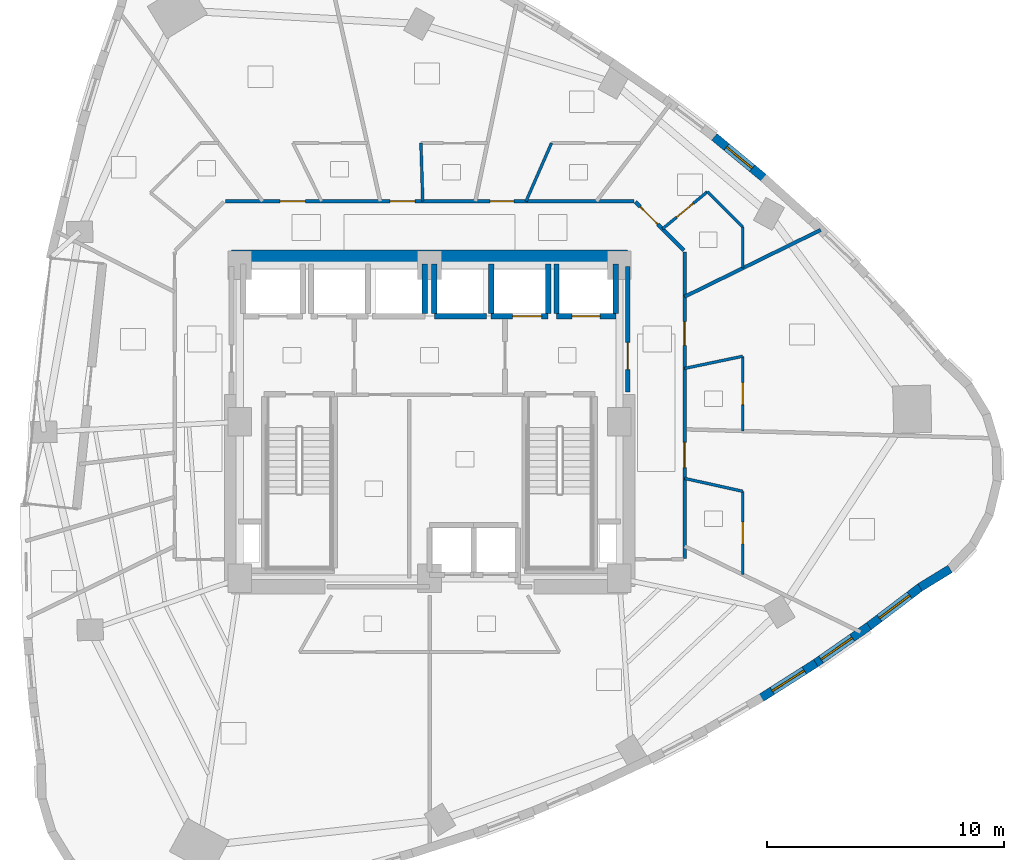
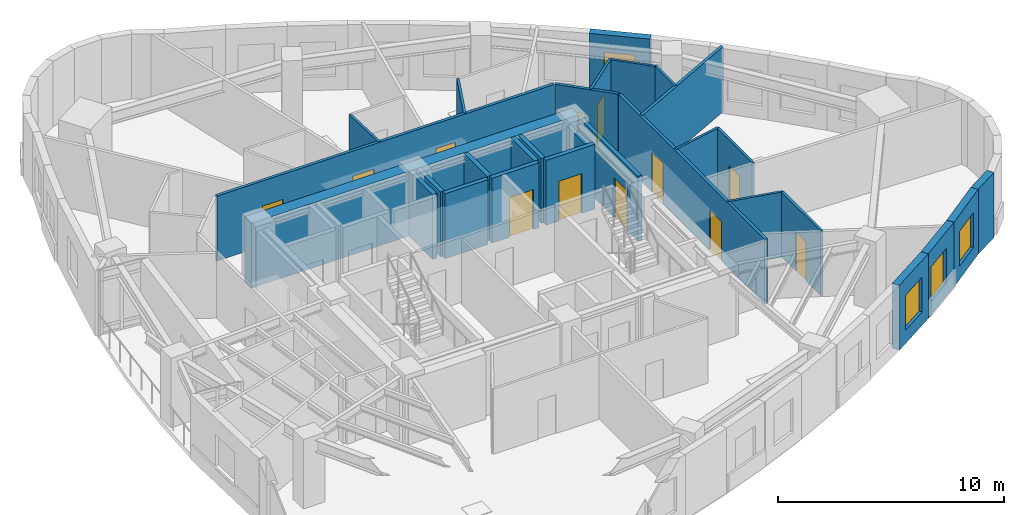
# One storey, part 7 of 12: 29 walls, 12 doors, 4 windows, 16 openings.
"""IFC4 building model written with IfcOpenShell, lengths in metres."""

from ifc_helpers import new_model, si_unit, direction, frame, frame_2d, origin, place, context, subcontext, project, spatial, rectangle, extrude, material, layer, layer_set, type_object, element, fill, save


model = new_model("IFC4")

# Units and contexts
model_context = context("Model", 3, precision=1e-05, world=origin(), true_north=direction((0.0, 1.0)))
body_context = subcontext(model_context, "Body", "Model", "MODEL_VIEW")
ifc_project = project(units=[si_unit("LENGTHUNIT", "METRE"), si_unit("AREAUNIT", "SQUARE_METRE"), si_unit("VOLUMEUNIT", "CUBIC_METRE"), si_unit("PLANEANGLEUNIT", "RADIAN"), si_unit("MASSUNIT", "GRAM", prefix="KILO")], contexts=[model_context])

# Site, building, storey
site_placement = place(None, origin())
site = spatial("IfcSite", under=ifc_project, at=site_placement, CompositionType="ELEMENT")
building_placement = place(site_placement, origin())
building = spatial("IfcBuilding", under=site, at=building_placement, Name="Ndelora Gate Hotel", CompositionType="ELEMENT")
storey_placement = place(building_placement, frame((0.0, 0.0, 101.0)))
storey = spatial("IfcBuildingStorey", under=building, at=storey_placement, Name="L24", CompositionType="ELEMENT", Elevation=101.0)

# Wall, opening, window
ifc_material_1 = material(Name="Clay Brick Masonry", Category="masonry")
ifc_layer_1 = layer(ifc_material_1, 0.360107421875)
ifc_layer_set_1 = layer_set([ifc_layer_1], Name="Clay Brick Masonry")
wall_type_1 = type_object("IfcWallType", Name="WL-BRICK-360", PredefinedType="SOLIDWALL", material=ifc_layer_set_1)
wall_1_placement = place(storey_placement, frame((16.285400390625, -10.1708984375, 0.0), z_axis=(0.0, 0.0, 1.0), x_axis=(-0.843759875161, -0.53672085209, 0.0)))
wall_1 = element("IfcWall", 1, at=wall_1_placement, inside=storey, type_object=wall_type_1, Name="L24 Tower Brick Pier-and-Spandrel Wall TWR-36", PredefinedType="SOLIDWALL", context=body_context, shape_type="SweptSolid", body=[
    extrude(rectangle(XDim=2.75830078125, YDim=0.360107421875, at=frame_2d((1.379150390625, 0.0))), origin(), (0.0, 0.0, 1.0), 3.5),
])
opening_1_placement = place(wall_1_placement, frame((0.5791015625, 0.0, 0.719970703125)))
opening_1 = element("IfcOpeningElement", 2, at=opening_1_placement, cuts=wall_1, Name="Opening W01", PredefinedType="OPENING", context=body_context, shape_type="SweptSolid", body=[
    extrude(rectangle(XDim=1.60009765625, YDim=1.8798828125, at=frame_2d((0.800048828125, 0.93994140625))), frame((0.0, 0.18994140625, 0.0), z_axis=(0.0, -1.0, 0.0), x_axis=(1.0, 0.0, 0.0)), (0.0, 0.0, 1.0), 0.380126953125),
])
ifc_material_2 = material(Name="Insulated Low-E Double Glazing in Bronze Aluminium Frame", Category="aluminium")
window_type_1 = type_object("IfcWindowType", Name="WN-DEEP-1600", PartitioningType="SINGLE_PANEL", PredefinedType="WINDOW", material=ifc_material_2)
window_1_placement = place(opening_1_placement, origin())
window_1 = element("IfcWindow", 3, at=window_1_placement, inside=storey, type_object=window_type_1, Name="L24 Deep-Set Brick-Pier Window W01", OverallHeight=1.8798828125, OverallWidth=1.60009765625, PartitioningType="SINGLE_PANEL", PredefinedType="WINDOW", context=body_context, shape_type="SweptSolid", body=[
    extrude(rectangle(XDim=1.60009765625, YDim=1.8798828125, at=frame_2d((0.800048828125, 0.93994140625))), frame((0.0, 0.030029296875, 0.0), z_axis=(0.0, -1.0, 0.0), x_axis=(1.0, 0.0, 0.0)), (0.0, 0.0, 1.0), 0.06005859375),
])
fill(opening_1, window_1)

wall_2_placement = place(storey_placement, frame((18.523681640625, -8.612060546875, 0.0), z_axis=(0.0, 0.0, 1.0), x_axis=(-0.820851453433, -0.5711417437, 0.0)))
wall_2 = element("IfcWall", 4, at=wall_2_placement, inside=storey, type_object=wall_type_1, Name="L24 Tower Brick Pier-and-Spandrel Wall TWR-37", PredefinedType="SOLIDWALL", context=body_context, shape_type="SweptSolid", body=[
    extrude(rectangle(XDim=2.777587890625, YDim=0.360107421875, at=frame_2d((1.388671875, 0.0))), origin(), (0.0, 0.0, 1.0), 3.5),
])
opening_2_placement = place(wall_2_placement, frame((0.860107421875, 0.0, 0.719970703125)))
opening_2 = element("IfcOpeningElement", 5, at=opening_2_placement, cuts=wall_2, Name="Opening W03", PredefinedType="OPENING", context=body_context, shape_type="SweptSolid", body=[
    extrude(rectangle(XDim=1.60009765625, YDim=1.8798828125, at=frame_2d((0.800048828125, 0.93994140625))), frame((0.0, 0.18994140625, 0.0), z_axis=(0.0, -1.0, 0.0), x_axis=(1.0, 0.0, 0.0)), (0.0, 0.0, 1.0), 0.380126953125),
])
window_type_2 = type_object("IfcWindowType", Name="WN-CORN-2100", PartitioningType="SINGLE_PANEL", PredefinedType="WINDOW", material=ifc_material_2)
window_2_placement = place(opening_2_placement, origin())
window_2 = element("IfcWindow", 6, at=window_2_placement, inside=storey, type_object=window_type_2, Name="L24 Deep-Set Brick-Pier Window W03", OverallHeight=1.8798828125, OverallWidth=1.60009765625, PartitioningType="SINGLE_PANEL", PredefinedType="WINDOW", context=body_context, shape_type="SweptSolid", body=[
    extrude(rectangle(XDim=1.60009765625, YDim=1.8798828125, at=frame_2d((0.800048828125, 0.93994140625))), frame((0.0, 0.030029296875, 0.0), z_axis=(0.0, -1.0, 0.0), x_axis=(1.0, 0.0, 0.0)), (0.0, 0.0, 1.0), 0.06005859375),
])
fill(opening_2, window_2)

wall_3_placement = place(storey_placement, frame((20.715576171875, -6.949462890625, 0.0), z_axis=(0.0, 0.0, 1.0), x_axis=(-0.796935762967, -0.604064060928, 0.0)))
wall_3 = element("IfcWall", 7, at=wall_3_placement, inside=storey, type_object=wall_type_1, Name="L24 Tower Brick Pier-and-Spandrel Wall TWR-38", PredefinedType="SOLIDWALL", context=body_context, shape_type="SweptSolid", body=[
    extrude(rectangle(XDim=2.80126953125, YDim=0.360107421875, at=frame_2d((1.400634765625, 0.0))), origin(), (0.0, 0.0, 1.0), 3.5),
])
opening_3_placement = place(wall_3_placement, frame((0.6005859375, 0.0, 0.719970703125)))
opening_3 = element("IfcOpeningElement", 8, at=opening_3_placement, cuts=wall_3, Name="Opening W01", PredefinedType="OPENING", context=body_context, shape_type="SweptSolid", body=[
    extrude(rectangle(XDim=1.60009765625, YDim=1.8798828125, at=frame_2d((0.800048828125, 0.93994140625))), frame((0.0, 0.18994140625, 0.0), z_axis=(0.0, -1.0, 0.0), x_axis=(1.0, 0.0, 0.0)), (0.0, 0.0, 1.0), 0.380126953125),
])
window_3_placement = place(opening_3_placement, origin())
window_3 = element("IfcWindow", 9, at=window_3_placement, inside=storey, type_object=window_type_1, Name="L24 Deep-Set Brick-Pier Window W01", OverallHeight=1.8798828125, OverallWidth=1.60009765625, PartitioningType="SINGLE_PANEL", PredefinedType="WINDOW", context=body_context, shape_type="SweptSolid", body=[
    extrude(rectangle(XDim=1.60009765625, YDim=1.8798828125, at=frame_2d((0.800048828125, 0.93994140625))), frame((0.0, 0.030029296875, 0.0), z_axis=(0.0, -1.0, 0.0), x_axis=(1.0, 0.0, 0.0)), (0.0, 0.0, 1.0), 0.06005859375),
])
fill(opening_3, window_3)

# Wall
wall_4_placement = place(storey_placement, frame((21.941162109375, -6.201416015625, 0.0), z_axis=(0.0, 0.0, 1.0), x_axis=(-0.852627228439, -0.522519673624, 0.0)))
element("IfcWall", 10, at=wall_4_placement, inside=storey, type_object=wall_type_1, Name="L24 Tower Brick Pier-and-Spandrel Wall TWR-39", PredefinedType="SOLIDWALL", context=body_context, shape_type="SweptSolid", body=[
    extrude(rectangle(XDim=1.48583984375, YDim=0.360107421875, at=frame_2d((0.742919921875, 0.0))), origin(), (0.0, 0.0, 1.0), 3.5),
])

# Wall, opening, window
wall_5_placement = place(storey_placement, frame((12.007080078125, 12.01123046875, 0.0), z_axis=(0.0, 0.0, 1.0), x_axis=(0.769960149578, -0.63809197461, 0.0)))
wall_5 = element("IfcWall", 11, at=wall_5_placement, inside=storey, type_object=wall_type_1, Name="L24 Tower Brick Pier-and-Spandrel Wall TWR-51", PredefinedType="SOLIDWALL", context=body_context, shape_type="SweptSolid", body=[
    extrude(rectangle(XDim=2.734619140625, YDim=0.360107421875, at=frame_2d((1.3671875, 0.0))), origin(), (0.0, 0.0, 1.0), 3.5),
])
opening_4_placement = place(wall_5_placement, frame((0.667236328125, 0.0, 0.719970703125)))
opening_4 = element("IfcOpeningElement", 12, at=opening_4_placement, cuts=wall_5, Name="Opening W02", PredefinedType="OPENING", context=body_context, shape_type="SweptSolid", body=[
    extrude(rectangle(XDim=1.39990234375, YDim=1.840087890625, at=frame_2d((0.699951171875, 0.919921875))), frame((0.0, 0.18994140625, 0.0), z_axis=(0.0, -1.0, 0.0), x_axis=(1.0, 0.0, 0.0)), (0.0, 0.0, 1.0), 0.380126953125),
])
window_type_3 = type_object("IfcWindowType", Name="WN-DEEP-1400", PartitioningType="SINGLE_PANEL", PredefinedType="WINDOW", material=ifc_material_2)
window_4_placement = place(opening_4_placement, origin())
window_4 = element("IfcWindow", 13, at=window_4_placement, inside=storey, type_object=window_type_3, Name="L24 Deep-Set Brick-Pier Window W02", OverallHeight=1.840087890625, OverallWidth=1.39990234375, PartitioningType="SINGLE_PANEL", PredefinedType="WINDOW", context=body_context, shape_type="SweptSolid", body=[
    extrude(rectangle(XDim=1.39990234375, YDim=1.840087890625, at=frame_2d((0.699951171875, 0.919921875))), frame((0.0, 0.030029296875, 0.0), z_axis=(0.0, -1.0, 0.0), x_axis=(1.0, 0.0, 0.0)), (0.0, 0.0, 1.0), 0.06005859375),
])
fill(opening_4, window_4)

# Wall
ifc_material_3 = material(Name="Concrete C60/75", Category="concrete")
ifc_layer_2 = layer(ifc_material_3, 0.60009765625)
ifc_layer_set_2 = layer_set([ifc_layer_2], Name="Concrete C60/75")
wall_type_2 = type_object("IfcWallType", Name="WL-CORE-600", PredefinedType="SHEAR", material=ifc_layer_set_2)
wall_6_placement = place(storey_placement, frame((-8.35009765625, 6.949951171875, 0.0), z_axis=(0.0, 0.0, 1.0), x_axis=(1.0, 0.0, 0.0)))
element("IfcWall", 14, at=wall_6_placement, inside=storey, type_object=wall_type_2, Name="L24 Core Shear Wall N", PredefinedType="SHEAR", context=body_context, shape_type="SweptSolid", body=[
    extrude(rectangle(XDim=16.7001953125, YDim=0.60009765625, at=frame_2d((8.35009765625, 0.0))), origin(), (0.0, 0.0, 1.0), 3.5),
])

# Wall, opening, door
ifc_material_4 = material(Name="Concrete C40/50", Category="concrete")
ifc_layer_3 = layer(ifc_material_4, 0.199951171875)
ifc_layer_set_3 = layer_set([ifc_layer_3], Name="Concrete C40/50")
wall_type_3 = type_object("IfcWallType", Name="WL-FIRE-200", PredefinedType="PARTITIONING", material=ifc_layer_set_3)
wall_7_placement = place(storey_placement, frame((8.35009765625, 1.25, 0.0), z_axis=(0.0, 0.0, 1.0), x_axis=(0.0, 1.0, 0.0)))
wall_7 = element("IfcWall", 15, at=wall_7_placement, inside=storey, type_object=wall_type_3, Name="L24 Interior Wall IW-2", PredefinedType="PARTITIONING", context=body_context, shape_type="SweptSolid", body=[
    extrude(rectangle(XDim=5.300048828125, YDim=0.199951171875, at=frame_2d((2.64990234375, 0.0))), origin(), (0.0, 0.0, 1.0), 3.5),
])
opening_5_placement = place(wall_7_placement, frame((0.949951171875, 0.0, 0.0)))
opening_5 = element("IfcOpeningElement", 16, at=opening_5_placement, cuts=wall_7, Name="Opening FD1", PredefinedType="OPENING", context=body_context, shape_type="SweptSolid", body=[
    extrude(rectangle(XDim=1.14990234375, YDim=2.14990234375, at=frame_2d((0.574951171875, 1.074951171875))), frame((0.0, 0.10986328125, 0.0), z_axis=(0.0, -1.0, 0.0), x_axis=(1.0, 0.0, 0.0)), (0.0, 0.0, 1.0), 0.219970703125),
])
ifc_material_5 = material(Name="Fire-Rated Timber-Veneer Steel Core", Category="steel")
door_type_1 = type_object("IfcDoorType", Name="DR-FD60", OperationType="SINGLE_SWING_LEFT", PredefinedType="DOOR", material=ifc_material_5)
door_1_placement = place(opening_5_placement, origin())
door_1 = element("IfcDoor", 17, at=door_1_placement, inside=storey, type_object=door_type_1, Name="L24 Firefighting Lobby East Corridor Door", OperationType="SINGLE_SWING_RIGHT", OverallHeight=2.14990234375, OverallWidth=1.14990234375, PredefinedType="DOOR", context=body_context, shape_type="SweptSolid", body=[
    extrude(rectangle(XDim=1.14990234375, YDim=2.14990234375, at=frame_2d((0.574951171875, 1.074951171875))), frame((0.0, 0.02490234375, 0.0), z_axis=(0.0, -1.0, 0.0), x_axis=(1.0, 0.0, 0.0)), (0.0, 0.0, 1.0), 0.050048828125),
])
fill(opening_5, door_1)

# Wall, openings, doors
ifc_material_6 = material(Name="Fire-Rated Gypsum Stud Partition", Category="gypsum")
ifc_layer_4 = layer(ifc_material_6, 0.14990234375)
ifc_layer_set_4 = layer_set([ifc_layer_4], Name="Fire-Rated Gypsum Stud Partition")
wall_type_4 = type_object("IfcWallType", Name="WL-PART-150", PredefinedType="PARTITIONING", material=ifc_layer_set_4)
wall_8_placement = place(storey_placement, frame((10.75, 7.159912109375, 0.0), z_axis=(0.0, 0.0, 1.0), x_axis=(0.0, -1.0, 0.0)))
wall_8 = element("IfcWall", 18, at=wall_8_placement, inside=storey, type_object=wall_type_4, Name="L24 Interior Wall IW-5", PredefinedType="PARTITIONING", context=body_context, shape_type="SweptSolid", body=[
    extrude(rectangle(XDim=12.919921875, YDim=0.14990234375, at=frame_2d((6.4599609375, 0.0))), origin(), (0.0, 0.0, 1.0), 3.5),
])
opening_6_placement = place(wall_8_placement, frame((2.937255859375, 0.0, 0.0)))
opening_6 = element("IfcOpeningElement", 19, at=opening_6_placement, cuts=wall_8, Name="Opening D01", PredefinedType="OPENING", context=body_context, shape_type="SweptSolid", body=[
    extrude(rectangle(XDim=1.0, YDim=2.14990234375, at=frame_2d((0.5, 1.074951171875))), frame((0.0, 0.0849609375, 0.0), z_axis=(0.0, -1.0, 0.0), x_axis=(1.0, 0.0, 0.0)), (0.0, 0.0, 1.0), 0.169921875),
])
opening_7_placement = place(wall_8_placement, frame((8.02978515625, 0.0, 0.0)))
opening_7 = element("IfcOpeningElement", 20, at=opening_7_placement, cuts=wall_8, Name="Opening D07", PredefinedType="OPENING", context=body_context, shape_type="SweptSolid", body=[
    extrude(rectangle(XDim=1.06005859375, YDim=2.14990234375, at=frame_2d((0.530029296875, 1.074951171875))), frame((0.0, 0.0849609375, 0.0), z_axis=(0.0, -1.0, 0.0), x_axis=(1.0, 0.0, 0.0)), (0.0, 0.0, 1.0), 0.169921875),
])
ifc_material_7 = material(Name="Acoustic Hardwood Guest Entrance Door", Category="wood")
door_type_2 = type_object("IfcDoorType", Name="DR-COR-1000", OperationType="SINGLE_SWING_LEFT", PredefinedType="DOOR", material=ifc_material_7)
door_2_placement = place(opening_6_placement, origin())
door_2 = element("IfcDoor", 21, at=door_2_placement, inside=storey, type_object=door_type_2, Name="L24 Club King Guest Room 2704 Entrance Door", OperationType="SINGLE_SWING_LEFT", OverallHeight=2.14990234375, OverallWidth=1.0, PredefinedType="DOOR", context=body_context, shape_type="SweptSolid", body=[
    extrude(rectangle(XDim=1.0, YDim=2.14990234375, at=frame_2d((0.5, 1.074951171875))), frame((0.0, 0.02490234375, 0.0), z_axis=(0.0, -1.0, 0.0), x_axis=(1.0, 0.0, 0.0)), (0.0, 0.0, 1.0), 0.050048828125),
])
fill(opening_6, door_2)
ifc_material_8 = material(Name="Diplomatic Suite Acoustic Entrance Door", Category="wood")
door_type_3 = type_object("IfcDoorType", Name="DR-SUITE-1060", OperationType="SINGLE_SWING_LEFT", PredefinedType="DOOR", material=ifc_material_8)
door_3_placement = place(opening_7_placement, origin())
door_3 = element("IfcDoor", 22, at=door_3_placement, inside=storey, type_object=door_type_3, Name="L24 Corner Club Suite 2703 Entrance Door", OperationType="SINGLE_SWING_RIGHT", OverallHeight=2.14990234375, OverallWidth=1.06005859375, PredefinedType="DOOR", context=body_context, shape_type="SweptSolid", body=[
    extrude(rectangle(XDim=1.06005859375, YDim=2.14990234375, at=frame_2d((0.530029296875, 1.074951171875))), frame((0.0, 0.02490234375, 0.0), z_axis=(0.0, -1.0, 0.0), x_axis=(1.0, 0.0, 0.0)), (0.0, 0.0, 1.0), 0.050048828125),
])
fill(opening_7, door_3)

# Wall, opening, door
wall_9_placement = place(storey_placement, frame((8.67822265625, 9.271728515625, 0.0), z_axis=(0.0, 0.0, 1.0), x_axis=(0.707106781187, -0.707106781187, 0.0)))
wall_9 = element("IfcWall", 23, at=wall_9_placement, inside=storey, type_object=wall_type_4, Name="L24 Interior Wall IW-5", PredefinedType="PARTITIONING", context=body_context, shape_type="SweptSolid", body=[
    extrude(rectangle(XDim=2.889892578125, YDim=0.14990234375, at=frame_2d((1.44482421875, 0.0))), origin(), (0.0, 0.0, 1.0), 3.5),
])
opening_8_placement = place(wall_9_placement, frame((0.280029296875, 0.0, 0.0)))
opening_8 = element("IfcOpeningElement", 24, at=opening_8_placement, cuts=wall_9, Name="Opening D07", PredefinedType="OPENING", context=body_context, shape_type="SweptSolid", body=[
    extrude(rectangle(XDim=1.06005859375, YDim=2.14990234375, at=frame_2d((0.530029296875, 1.074951171875))), frame((0.0, 0.0849609375, 0.0), z_axis=(0.0, -1.0, 0.0), x_axis=(1.0, 0.0, 0.0)), (0.0, 0.0, 1.0), 0.169921875),
])
door_4_placement = place(opening_8_placement, origin())
door_4 = element("IfcDoor", 25, at=door_4_placement, inside=storey, type_object=door_type_3, Name="L24 South Reclaimed Club Suite 2705 Entrance Door", OperationType="SINGLE_SWING_RIGHT", OverallHeight=2.14990234375, OverallWidth=1.06005859375, PredefinedType="DOOR", context=body_context, shape_type="SweptSolid", body=[
    extrude(rectangle(XDim=1.06005859375, YDim=2.14990234375, at=frame_2d((0.530029296875, 1.074951171875))), frame((0.0, 0.02490234375, 0.0), z_axis=(0.0, -1.0, 0.0), x_axis=(1.0, 0.0, 0.0)), (0.0, 0.0, 1.0), 0.050048828125),
])
fill(opening_8, door_4)

# Wall, openings, doors
wall_10_placement = place(storey_placement, frame((-8.610107421875, 9.300048828125, 0.0), z_axis=(0.0, 0.0, 1.0), x_axis=(1.0, 0.0, 0.0)))
wall_10 = element("IfcWall", 26, at=wall_10_placement, inside=storey, type_object=wall_type_4, Name="L24 Interior Wall IW-5", PredefinedType="PARTITIONING", context=body_context, shape_type="SweptSolid", body=[
    extrude(rectangle(XDim=17.22021484375, YDim=0.14990234375, at=frame_2d((8.610107421875, 0.0))), origin(), (0.0, 0.0, 1.0), 3.5),
])
opening_9_placement = place(wall_10_placement, frame((11.16650390625, 0.0, 0.0)))
opening_9 = element("IfcOpeningElement", 27, at=opening_9_placement, cuts=wall_10, Name="Opening D01", PredefinedType="OPENING", context=body_context, shape_type="SweptSolid", body=[
    extrude(rectangle(XDim=1.0, YDim=2.14990234375, at=frame_2d((0.5, 1.074951171875))), frame((0.0, 0.0849609375, 0.0), z_axis=(0.0, -1.0, 0.0), x_axis=(1.0, 0.0, 0.0)), (0.0, 0.0, 1.0), 0.169921875),
])
opening_10_placement = place(wall_10_placement, frame((6.9443359375, 0.0, 0.0)))
opening_10 = element("IfcOpeningElement", 28, at=opening_10_placement, cuts=wall_10, Name="Opening D07", PredefinedType="OPENING", context=body_context, shape_type="SweptSolid", body=[
    extrude(rectangle(XDim=1.06005859375, YDim=2.14990234375, at=frame_2d((0.530029296875, 1.074951171875))), frame((0.0, 0.0849609375, 0.0), z_axis=(0.0, -1.0, 0.0), x_axis=(1.0, 0.0, 0.0)), (0.0, 0.0, 1.0), 0.169921875),
])
opening_11_placement = place(wall_10_placement, frame((2.31103515625, 0.0, 0.0)))
opening_11 = element("IfcOpeningElement", 29, at=opening_11_placement, cuts=wall_10, Name="Opening D07", PredefinedType="OPENING", context=body_context, shape_type="SweptSolid", body=[
    extrude(rectangle(XDim=1.06005859375, YDim=2.14990234375, at=frame_2d((0.530029296875, 1.074951171875))), frame((0.0, 0.0849609375, 0.0), z_axis=(0.0, -1.0, 0.0), x_axis=(1.0, 0.0, 0.0)), (0.0, 0.0, 1.0), 0.169921875),
])
door_5_placement = place(opening_9_placement, origin())
door_5 = element("IfcDoor", 30, at=door_5_placement, inside=storey, type_object=door_type_2, Name="L24 Club Twin Guest Room 2706 Entrance Door", OperationType="SINGLE_SWING_RIGHT", OverallHeight=2.14990234375, OverallWidth=1.0, PredefinedType="DOOR", context=body_context, shape_type="SweptSolid", body=[
    extrude(rectangle(XDim=1.0, YDim=2.14990234375, at=frame_2d((0.5, 1.074951171875))), frame((0.0, 0.02490234375, 0.0), z_axis=(0.0, -1.0, 0.0), x_axis=(1.0, 0.0, 0.0)), (0.0, 0.0, 1.0), 0.050048828125),
])
fill(opening_9, door_5)
door_6_placement = place(opening_10_placement, origin())
door_6 = element("IfcDoor", 31, at=door_6_placement, inside=storey, type_object=door_type_3, Name="L24 Corner Junior Suite 2707 Entrance Door", OperationType="SINGLE_SWING_RIGHT", OverallHeight=2.14990234375, OverallWidth=1.06005859375, PredefinedType="DOOR", context=body_context, shape_type="SweptSolid", body=[
    extrude(rectangle(XDim=1.06005859375, YDim=2.14990234375, at=frame_2d((0.530029296875, 1.074951171875))), frame((0.0, 0.02490234375, 0.0), z_axis=(0.0, -1.0, 0.0), x_axis=(1.0, 0.0, 0.0)), (0.0, 0.0, 1.0), 0.050048828125),
])
fill(opening_10, door_6)
door_7_placement = place(opening_11_placement, origin())
door_7 = element("IfcDoor", 32, at=door_7_placement, inside=storey, type_object=door_type_3, Name="L24 Club Superior Junior Suite 2708 Entrance Door", OperationType="SINGLE_SWING_LEFT", OverallHeight=2.14990234375, OverallWidth=1.06005859375, PredefinedType="DOOR", context=body_context, shape_type="SweptSolid", body=[
    extrude(rectangle(XDim=1.06005859375, YDim=2.14990234375, at=frame_2d((0.530029296875, 1.074951171875))), frame((0.0, 0.02490234375, 0.0), z_axis=(0.0, -1.0, 0.0), x_axis=(1.0, 0.0, 0.0)), (0.0, 0.0, 1.0), 0.050048828125),
])
fill(opening_11, door_7)

# Wall
wall_11_placement = place(storey_placement, frame((10.75, 5.2744140625, 0.0), z_axis=(0.0, 0.0, 1.0), x_axis=(0.897755780575, 0.440493539616, 0.0)))
element("IfcWall", 33, at=wall_11_placement, inside=storey, type_object=wall_type_4, Name="L24 Interior Wall IW-5", PredefinedType="PARTITIONING", context=body_context, shape_type="SweptSolid", body=[
    extrude(rectangle(XDim=6.3916015625, YDim=0.14990234375, at=frame_2d((3.19580078125, 0.0))), origin(), (0.0, 0.0, 1.0), 3.5),
])

# Wall, opening, door
ifc_layer_5 = layer(ifc_material_4, 0.219970703125)
ifc_layer_set_5 = layer_set([ifc_layer_5], Name="Concrete C40/50")
wall_type_5 = type_object("IfcWallType", Name="WL-SHAFT-220", PredefinedType="PARTITIONING", material=ifc_layer_set_5)
wall_12_placement = place(storey_placement, frame((5.35009765625, 4.449951171875, 0.0), z_axis=(0.0, 0.0, 1.0), x_axis=(1.0, 0.0, 0.0)))
wall_12 = element("IfcWall", 34, at=wall_12_placement, inside=storey, type_object=wall_type_5, Name="L24 Interior Wall IW-1", PredefinedType="PARTITIONING", context=body_context, shape_type="SweptSolid", body=[
    extrude(rectangle(XDim=2.5, YDim=0.219970703125, at=frame_2d((1.25, 0.0))), origin(), (0.0, 0.0, 1.0), 3.5),
])
opening_12_placement = place(wall_12_placement, frame((0.659912109375, 0.0, 0.0)))
opening_12 = element("IfcOpeningElement", 35, at=opening_12_placement, cuts=wall_12, Name="Opening LD5", PredefinedType="OPENING", context=body_context, shape_type="SweptSolid", body=[
    extrude(rectangle(XDim=1.179931640625, YDim=2.14990234375, at=frame_2d((0.58984375, 1.074951171875))), frame((0.0, 0.1201171875, 0.0), z_axis=(0.0, -1.0, 0.0), x_axis=(1.0, 0.0, 0.0)), (0.0, 0.0, 1.0), 0.239990234375),
])
ifc_material_9 = material(Name="Firefighting Lift Stainless Sliding Landing Door", Category="metal")
door_type_4 = type_object("IfcDoorType", Name="DR-LD5", OperationType="DOUBLE_DOOR_SLIDING", PredefinedType="DOOR", material=ifc_material_9)
door_8_placement = place(opening_12_placement, origin())
door_8 = element("IfcDoor", 36, at=door_8_placement, inside=storey, type_object=door_type_4, Name="L24 Lift Landing Sliding Door FFL2", OperationType="DOUBLE_DOOR_SLIDING", OverallHeight=2.14990234375, OverallWidth=1.179931640625, PredefinedType="DOOR", context=body_context, shape_type="SweptSolid", body=[
    extrude(rectangle(XDim=1.179931640625, YDim=2.14990234375, at=frame_2d((0.58984375, 1.074951171875))), frame((0.0, 0.02490234375, 0.0), z_axis=(0.0, -1.0, 0.0), x_axis=(1.0, 0.0, 0.0)), (0.0, 0.0, 1.0), 0.050048828125),
])
fill(opening_12, door_8)

# Walls
wall_13_placement = place(storey_placement, frame((5.35009765625, 4.570068359375, 0.0), z_axis=(0.0, 0.0, 1.0), x_axis=(0.0, 1.0, 0.0)))
element("IfcWall", 37, at=wall_13_placement, inside=storey, type_object=wall_type_5, Name="L24 Interior Wall IW-1", PredefinedType="PARTITIONING", context=body_context, shape_type="SweptSolid", body=[
    extrude(rectangle(XDim=2.079833984375, YDim=0.219970703125, at=frame_2d((1.0400390625, 0.0))), origin(), (0.0, 0.0, 1.0), 3.5),
])
wall_14_placement = place(storey_placement, frame((7.85009765625, 4.570068359375, 0.0), z_axis=(0.0, 0.0, 1.0), x_axis=(0.0, 1.0, 0.0)))
element("IfcWall", 38, at=wall_14_placement, inside=storey, type_object=wall_type_5, Name="L24 Interior Wall IW-1", PredefinedType="PARTITIONING", context=body_context, shape_type="SweptSolid", body=[
    extrude(rectangle(XDim=2.079833984375, YDim=0.219970703125, at=frame_2d((1.0400390625, 0.0))), origin(), (0.0, 0.0, 1.0), 3.1201171875),
])

# Wall, opening, door
wall_15_placement = place(storey_placement, frame((2.60009765625, 4.449951171875, 0.0), z_axis=(0.0, 0.0, 1.0), x_axis=(1.0, 0.0, 0.0)))
wall_15 = element("IfcWall", 39, at=wall_15_placement, inside=storey, type_object=wall_type_5, Name="L24 Interior Wall IW-1", PredefinedType="PARTITIONING", context=body_context, shape_type="SweptSolid", body=[
    extrude(rectangle(XDim=2.39990234375, YDim=0.219970703125, at=frame_2d((1.199951171875, 0.0))), origin(), (0.0, 0.0, 1.0), 3.5),
])
opening_13_placement = place(wall_15_placement, frame((0.89990234375, 0.0, 0.0)))
opening_13 = element("IfcOpeningElement", 40, at=opening_13_placement, cuts=wall_15, Name="Opening LD6", PredefinedType="OPENING", context=body_context, shape_type="SweptSolid", body=[
    extrude(rectangle(XDim=1.219970703125, YDim=2.14990234375, at=frame_2d((0.60986328125, 1.074951171875))), frame((0.0, 0.1201171875, 0.0), z_axis=(0.0, -1.0, 0.0), x_axis=(1.0, 0.0, 0.0)), (0.0, 0.0, 1.0), 0.239990234375),
])
ifc_material_10 = material(Name="Heavy-Duty Service Lift Sliding Landing Door", Category="wood")
door_type_5 = type_object("IfcDoorType", Name="DR-LD6", OperationType="DOUBLE_DOOR_SLIDING", PredefinedType="DOOR", material=ifc_material_10)
door_9_placement = place(opening_13_placement, origin())
door_9 = element("IfcDoor", 41, at=door_9_placement, inside=storey, type_object=door_type_5, Name="L24 Lift Landing Sliding Door SVL2", OperationType="DOUBLE_DOOR_SLIDING", OverallHeight=2.14990234375, OverallWidth=1.219970703125, PredefinedType="DOOR", context=body_context, shape_type="SweptSolid", body=[
    extrude(rectangle(XDim=1.219970703125, YDim=2.14990234375, at=frame_2d((0.60986328125, 1.074951171875))), frame((0.0, 0.02490234375, 0.0), z_axis=(0.0, -1.0, 0.0), x_axis=(1.0, 0.0, 0.0)), (0.0, 0.0, 1.0), 0.050048828125),
])
fill(opening_13, door_9)

# Walls
for number, where, z_axis, x_axis, name in (
    (42, (2.60009765625, 4.570068359375, 0.0), (0.0, 0.0, 1.0), (0.0, 1.0, 0.0), "L24 Interior Wall IW-1"),
    (43, (5.0, 4.570068359375, 0.0), (0.0, 0.0, 1.0), (0.0, 1.0, 0.0), "L24 Interior Wall IW-1"),
    (44, (-0.199951171875, 4.570068359375, 0.0), (0.0, 0.0, 1.0), (0.0, 1.0, 0.0), "L24 Interior Wall IW-1"),
):
    element("IfcWall", number, at=place(storey_placement, frame(where, z_axis=z_axis, x_axis=x_axis)), inside=storey, type_object=wall_type_5, Name=name, PredefinedType="PARTITIONING", context=body_context, shape_type="SweptSolid", body=[
        extrude(rectangle(XDim=2.079833984375, YDim=0.219970703125, at=frame_2d((1.0400390625, 0.0))), origin(), (0.0, 0.0, 1.0), 3.5),
    ])
wall_16_placement = place(storey_placement, frame((0.199951171875, 4.449951171875, 0.0), z_axis=(0.0, 0.0, 1.0), x_axis=(1.0, 0.0, 0.0)))
element("IfcWall", 45, at=wall_16_placement, inside=storey, type_object=wall_type_5, Name="L24 Interior Wall IW-1", PredefinedType="PARTITIONING", context=body_context, shape_type="SweptSolid", body=[
    extrude(rectangle(XDim=2.199951171875, YDim=0.219970703125, at=frame_2d((1.10009765625, 0.0))), origin(), (0.0, 0.0, 1.0), 3.5),
])
wall_17_placement = place(storey_placement, frame((0.199951171875, 4.570068359375, 0.0), z_axis=(0.0, 0.0, 1.0), x_axis=(0.0, 1.0, 0.0)))
element("IfcWall", 46, at=wall_17_placement, inside=storey, type_object=wall_type_5, Name="L24 Interior Wall IW-1", PredefinedType="PARTITIONING", context=body_context, shape_type="SweptSolid", body=[
    extrude(rectangle(XDim=2.079833984375, YDim=0.219970703125, at=frame_2d((1.0400390625, 0.0))), origin(), (0.0, 0.0, 1.0), 3.5),
])
ifc_material_11 = material(Name="Moisture-Resistant Bathroom Tile Partition", Category="gypsum")
ifc_layer_6 = layer(ifc_material_11, 0.1201171875)
ifc_layer_set_6 = layer_set([ifc_layer_6], Name="Moisture-Resistant Bathroom Tile Partition")
wall_type_6 = type_object("IfcWallType", Name="WL-WET-120", PredefinedType="PARTITIONING", material=ifc_layer_set_6)
wall_18_placement = place(storey_placement, frame((10.75, -2.38330078125, 0.0), z_axis=(0.0, 0.0, 1.0), x_axis=(0.976289961462, -0.216466882337, 0.0)))
element("IfcWall", 47, at=wall_18_placement, inside=storey, type_object=wall_type_6, Name="L24 Interior Wall IW-7", PredefinedType="PARTITIONING", context=body_context, shape_type="SweptSolid", body=[
    extrude(rectangle(XDim=2.509521484375, YDim=0.1201171875, at=frame_2d((1.2548828125, 0.0))), origin(), (0.0, 0.0, 1.0), 3.5),
])

# Wall, opening, door
wall_19_placement = place(storey_placement, frame((13.199951171875, -2.926513671875, 0.0), z_axis=(0.0, 0.0, 1.0), x_axis=(0.0, -1.0, 0.0)))
wall_19 = element("IfcWall", 48, at=wall_19_placement, inside=storey, type_object=wall_type_6, Name="L24 Interior Wall IW-7", PredefinedType="PARTITIONING", context=body_context, shape_type="SweptSolid", body=[
    extrude(rectangle(XDim=3.511474609375, YDim=0.1201171875, at=frame_2d((1.755859375, 0.0))), origin(), (0.0, 0.0, 1.0), 3.5),
])
opening_14_placement = place(wall_19_placement, frame((1.2958984375, 0.0, 0.0)))
opening_14 = element("IfcOpeningElement", 49, at=opening_14_placement, cuts=wall_19, Name="Opening D03", PredefinedType="OPENING", context=body_context, shape_type="SweptSolid", body=[
    extrude(rectangle(XDim=0.919921875, YDim=2.10009765625, at=frame_2d((0.4599609375, 1.050048828125))), frame((0.0, 0.070068359375, 0.0), z_axis=(0.0, -1.0, 0.0), x_axis=(1.0, 0.0, 0.0)), (0.0, 0.0, 1.0), 0.14013671875),
])
ifc_material_12 = material(Name="Moisture-Resistant Hardwood En-Suite Door", Category="wood")
door_type_6 = type_object("IfcDoorType", Name="DR-BATH-920", OperationType="SINGLE_SWING_LEFT", PredefinedType="DOOR", material=ifc_material_12)
door_10_placement = place(opening_14_placement, origin())
door_10 = element("IfcDoor", 50, at=door_10_placement, inside=storey, type_object=door_type_6, Name="L24 En-suite Bathroom 2703 Door", OperationType="SINGLE_SWING_RIGHT", OverallHeight=2.10009765625, OverallWidth=0.919921875, PredefinedType="DOOR", context=body_context, shape_type="SweptSolid", body=[
    extrude(rectangle(XDim=0.919921875, YDim=2.10009765625, at=frame_2d((0.4599609375, 1.050048828125))), frame((0.0, 0.02490234375, 0.0), z_axis=(0.0, -1.0, 0.0), x_axis=(1.0, 0.0, 0.0)), (0.0, 0.0, 1.0), 0.050048828125),
])
fill(opening_14, door_10)

# Wall
wall_20_placement = place(storey_placement, frame((13.199951171875, 2.7646484375, 0.0), z_axis=(0.0, 0.0, 1.0), x_axis=(-0.978777888037, -0.204924000276, 0.0)))
element("IfcWall", 51, at=wall_20_placement, inside=storey, type_object=wall_type_6, Name="L24 Interior Wall IW-7", PredefinedType="PARTITIONING", context=body_context, shape_type="SweptSolid", body=[
    extrude(rectangle(XDim=2.503173828125, YDim=0.1201171875, at=frame_2d((1.25146484375, 0.0))), origin(), (0.0, 0.0, 1.0), 3.5),
])

# Wall, opening, door
wall_21_placement = place(storey_placement, frame((13.199951171875, 2.7646484375, 0.0), z_axis=(0.0, 0.0, 1.0), x_axis=(0.0, -1.0, 0.0)))
wall_21 = element("IfcWall", 52, at=wall_21_placement, inside=storey, type_object=wall_type_6, Name="L24 Interior Wall IW-7", PredefinedType="PARTITIONING", context=body_context, shape_type="SweptSolid", body=[
    extrude(rectangle(XDim=3.149658203125, YDim=0.1201171875, at=frame_2d((1.57470703125, 0.0))), origin(), (0.0, 0.0, 1.0), 3.5),
])
opening_15_placement = place(wall_21_placement, frame((1.11474609375, 0.0, 0.0)))
opening_15 = element("IfcOpeningElement", 53, at=opening_15_placement, cuts=wall_21, Name="Opening D03", PredefinedType="OPENING", context=body_context, shape_type="SweptSolid", body=[
    extrude(rectangle(XDim=0.919921875, YDim=2.10009765625, at=frame_2d((0.4599609375, 1.050048828125))), frame((0.0, 0.070068359375, 0.0), z_axis=(0.0, -1.0, 0.0), x_axis=(1.0, 0.0, 0.0)), (0.0, 0.0, 1.0), 0.14013671875),
])
door_11_placement = place(opening_15_placement, origin())
door_11 = element("IfcDoor", 54, at=door_11_placement, inside=storey, type_object=door_type_6, Name="L24 En-suite Bathroom 2704 Door", OperationType="SINGLE_SWING_LEFT", OverallHeight=2.10009765625, OverallWidth=0.919921875, PredefinedType="DOOR", context=body_context, shape_type="SweptSolid", body=[
    extrude(rectangle(XDim=0.919921875, YDim=2.10009765625, at=frame_2d((0.4599609375, 1.050048828125))), frame((0.0, 0.02490234375, 0.0), z_axis=(0.0, -1.0, 0.0), x_axis=(1.0, 0.0, 0.0)), (0.0, 0.0, 1.0), 0.050048828125),
])
fill(opening_15, door_11)

wall_22_placement = place(storey_placement, frame((9.81787109375, 8.132080078125, 0.0), z_axis=(0.0, 0.0, 1.0), x_axis=(0.770088402747, 0.63793718496, 0.0)))
wall_22 = element("IfcWall", 55, at=wall_22_placement, inside=storey, type_object=wall_type_6, Name="L24 Interior Wall IW-7", PredefinedType="PARTITIONING", context=body_context, shape_type="SweptSolid", body=[
    extrude(rectangle(XDim=2.460693359375, YDim=0.1201171875, at=frame_2d((1.23046875, 0.0))), origin(), (0.0, 0.0, 1.0), 3.5),
])
opening_16_placement = place(wall_22_placement, frame((0.7705078125, 0.0, 0.0)))
opening_16 = element("IfcOpeningElement", 56, at=opening_16_placement, cuts=wall_22, Name="Opening D03", PredefinedType="OPENING", context=body_context, shape_type="SweptSolid", body=[
    extrude(rectangle(XDim=0.919921875, YDim=2.10009765625, at=frame_2d((0.4599609375, 1.050048828125))), frame((0.0, 0.070068359375, 0.0), z_axis=(0.0, -1.0, 0.0), x_axis=(1.0, 0.0, 0.0)), (0.0, 0.0, 1.0), 0.14013671875),
])
door_12_placement = place(opening_16_placement, origin())
door_12 = element("IfcDoor", 57, at=door_12_placement, inside=storey, type_object=door_type_6, Name="L24 En-suite Bathroom 2705 Door", OperationType="SINGLE_SWING_RIGHT", OverallHeight=2.10009765625, OverallWidth=0.919921875, PredefinedType="DOOR", context=body_context, shape_type="SweptSolid", body=[
    extrude(rectangle(XDim=0.919921875, YDim=2.10009765625, at=frame_2d((0.4599609375, 1.050048828125))), frame((0.0, 0.02490234375, 0.0), z_axis=(0.0, -1.0, 0.0), x_axis=(1.0, 0.0, 0.0)), (0.0, 0.0, 1.0), 0.050048828125),
])
fill(opening_16, door_12)

# Walls
wall_23_placement = place(storey_placement, frame((11.712890625, 9.701904296875, 0.0), z_axis=(0.0, 0.0, 1.0), x_axis=(0.707106781187, -0.707106781187, 0.0)))
element("IfcWall", 58, at=wall_23_placement, inside=storey, type_object=wall_type_6, Name="L24 Interior Wall IW-7", PredefinedType="PARTITIONING", context=body_context, shape_type="SweptSolid", body=[
    extrude(rectangle(XDim=2.10302734375, YDim=0.1201171875, at=frame_2d((1.051513671875, 0.0))), origin(), (0.0, 0.0, 1.0), 3.5),
])
wall_24_placement = place(storey_placement, frame((13.199951171875, 6.4765625, 0.0), z_axis=(0.0, 0.0, 1.0), x_axis=(0.0, 1.0, 0.0)))
element("IfcWall", 59, at=wall_24_placement, inside=storey, type_object=wall_type_6, Name="L24 Interior Wall IW-7", PredefinedType="PARTITIONING", context=body_context, shape_type="SweptSolid", body=[
    extrude(rectangle(XDim=1.73828125, YDim=0.1201171875, at=frame_2d((0.869140625, 0.0))), origin(), (0.0, 0.0, 1.0), 3.5),
])
wall_25_placement = place(storey_placement, frame((4.068115234375, 9.300048828125, 0.0), z_axis=(0.0, 0.0, 1.0), x_axis=(0.400794887066, 0.916167811322, 0.0)))
element("IfcWall", 60, at=wall_25_placement, inside=storey, type_object=wall_type_6, Name="L24 Interior Wall IW-7", PredefinedType="PARTITIONING", context=body_context, shape_type="SweptSolid", body=[
    extrude(rectangle(XDim=2.674072265625, YDim=0.1201171875, at=frame_2d((1.3369140625, 0.0))), origin(), (0.0, 0.0, 1.0), 3.5),
])
wall_26_placement = place(storey_placement, frame((-0.287353515625, 9.300048828125, 0.0), z_axis=(0.0, 0.0, 1.0), x_axis=(-0.030877148781, 0.999523187166, 0.0)))
element("IfcWall", 61, at=wall_26_placement, inside=storey, type_object=wall_type_6, Name="L24 Interior Wall IW-7", PredefinedType="PARTITIONING", context=body_context, shape_type="SweptSolid", body=[
    extrude(rectangle(XDim=2.451171875, YDim=0.1201171875, at=frame_2d((1.2255859375, 0.0))), origin(), (0.0, 0.0, 1.0), 3.5),
])

save(model, "model.ifc")
